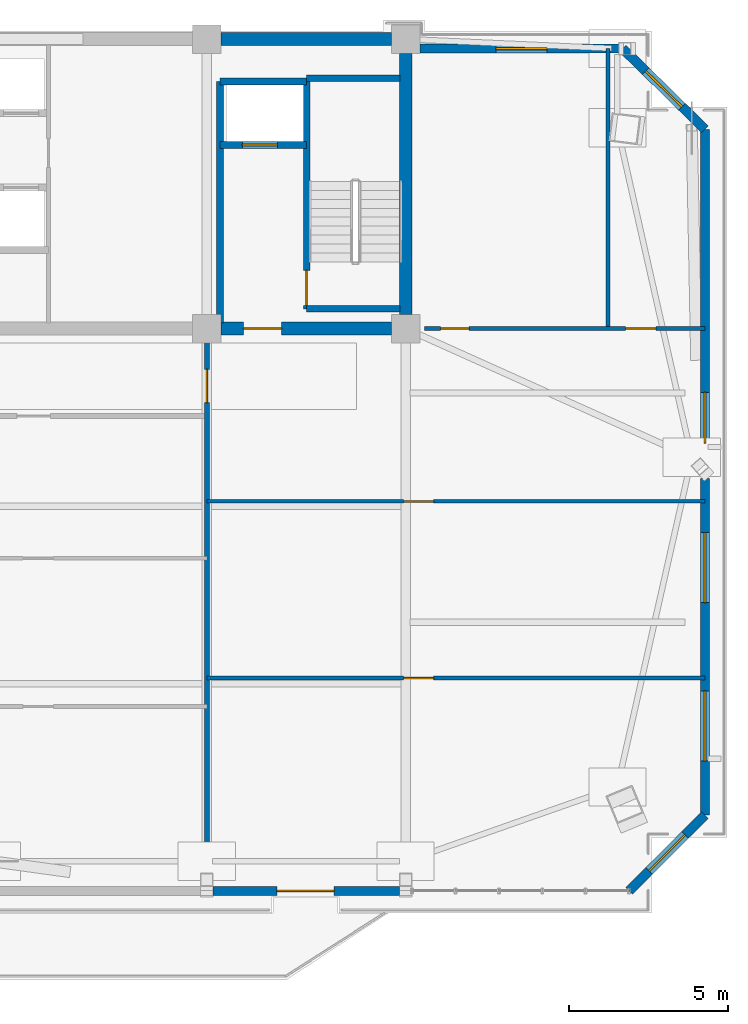
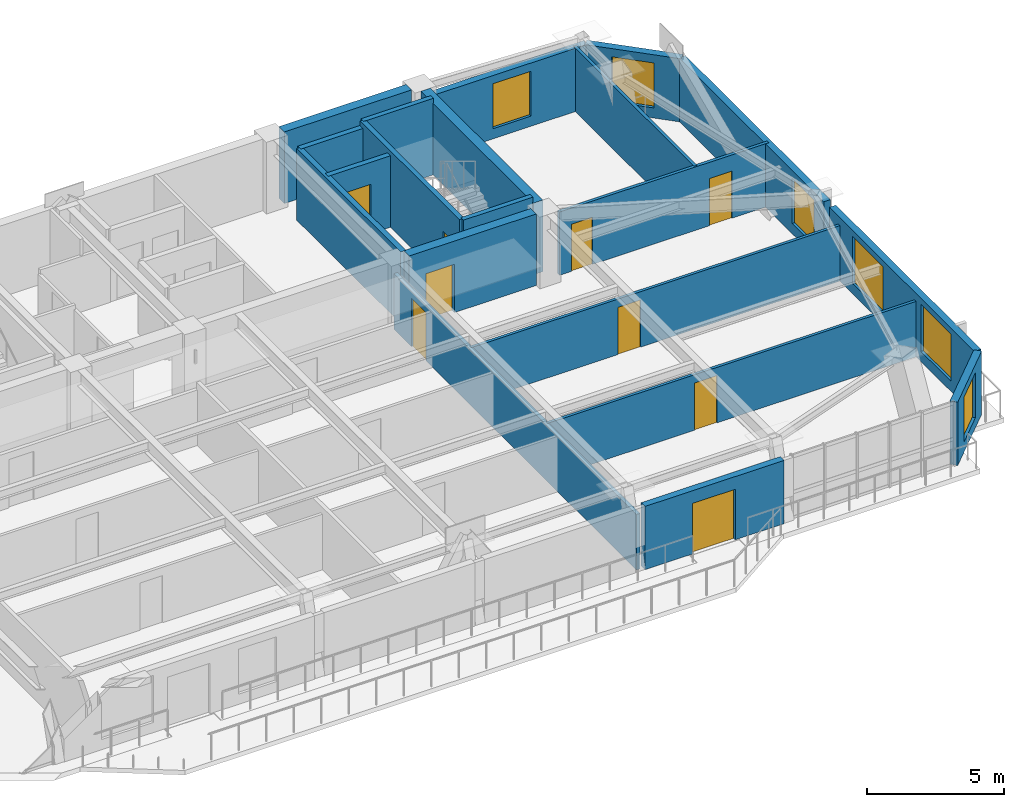
# One storey, part 8 of 14: 20 walls, 9 doors, 6 windows, 15 openings.
"""IFC4 building model written with IfcOpenShell, lengths in metres."""

from ifc_helpers import new_model, si_unit, direction, frame, frame_2d, origin, place, context, subcontext, project, spatial, rectangle, extrude, source, transform, mapped, material, layer, layer_set, type_object, element, fill, save


model = new_model("IFC4")

# Units and contexts
model_context = context("Model", 3, precision=1e-05, world=origin(), true_north=direction((0.0, 1.0)))
body_context = subcontext(model_context, "Body", "Model", "MODEL_VIEW")
ifc_project = project(units=[si_unit("LENGTHUNIT", "METRE"), si_unit("AREAUNIT", "SQUARE_METRE"), si_unit("VOLUMEUNIT", "CUBIC_METRE"), si_unit("PLANEANGLEUNIT", "RADIAN"), si_unit("MASSUNIT", "GRAM", prefix="KILO")], contexts=[model_context])

# Site, building, storey
site_placement = place(None, origin())
site = spatial("IfcSite", under=ifc_project, at=site_placement, CompositionType="ELEMENT")
building_placement = place(site_placement, origin())
building = spatial("IfcBuilding", under=site, at=building_placement, Name="Giltprow Tower", CompositionType="ELEMENT")
storey_placement = place(building_placement, frame((0.0, 0.0, 310.800048828125)))
storey = spatial("IfcBuildingStorey", under=building, at=storey_placement, Name="L80", CompositionType="ELEMENT", Elevation=310.800048828125)

# Wall, opening, window
ifc_material_1 = material(Name="Precast concrete C40", Category="concrete")
ifc_layer_1 = layer(ifc_material_1, 0.300048828125, Name="Precast concrete C40")
ifc_layer_set_1 = layer_set([ifc_layer_1], Name="Precast concrete C40")
wall_type_1 = type_object("IfcWallType", Name="EW-NOTCH-CHAMFER-300", PredefinedType="SOLIDWALL", material=ifc_layer_set_1)
wall_1_placement = place(storey_placement, frame((57.574951171875, 19.77197265625, 0.0), z_axis=(0.0, 0.0, 1.0), x_axis=(0.707106781187, 0.707106781187, 0.0)))
wall_1 = element("IfcWall", 1, at=wall_1_placement, inside=storey, type_object=wall_type_1, Name="L80 Corner Notch Wall SE", PredefinedType="SOLIDWALL", context=body_context, shape_type="SweptSolid", body=[
    extrude(rectangle(XDim=3.372802734375, YDim=0.300048828125, at=frame_2d((1.6865234375, 0.0))), origin(), (0.0, 0.0, 1.0), 2.81494140625),
])
opening_1_placement = place(wall_1_placement, frame((0.885986328125, 0.0, 0.449951171875)))
opening_1 = element("IfcOpeningElement", 2, at=opening_1_placement, cuts=wall_1, Name="Opening WN17", PredefinedType="OPENING", context=body_context, shape_type="SweptSolid", body=[
    extrude(rectangle(XDim=1.60009765625, YDim=2.0, at=frame_2d((0.800048828125, 1.0))), frame((0.0, 0.159912109375, 0.0), z_axis=(0.0, -1.0, 0.0), x_axis=(1.0, 0.0, 0.0)), (0.0, 0.0, 1.0), 0.320068359375),
])
ifc_material_2 = material(Name="Insulated glass", Category="glass")
window_type_1 = type_object("IfcWindowType", Name="WN-COR-1600x2000", PartitioningType="SINGLE_PANEL", PredefinedType="WINDOW", material=ifc_material_2)
shared_shape_1 = source(origin(), body_context, "Body", "SweptSolid", [
    extrude(rectangle(XDim=1.60009765625, YDim=2.0, at=frame_2d((0.800048828125, 1.0))), frame((0.0, 0.030029296875, 0.0), z_axis=(0.0, -1.0, 0.0), x_axis=(1.0, 0.0, 0.0)), (0.0, 0.0, 1.0), 0.06005859375),
])
window_1_placement = place(opening_1_placement, origin())
window_1 = element("IfcWindow", 3, at=window_1_placement, inside=storey, type_object=window_type_1, Name="L80 Corner Notch Window SE", OverallHeight=2.0, OverallWidth=1.60009765625, PartitioningType="SINGLE_PANEL", PredefinedType="WINDOW", context=body_context, shape_type="MappedRepresentation", body=[
    mapped(shared_shape_1, transform((0.0, 0.0, 0.0), x_axis=(1.0, 0.0, 0.0), y_axis=(0.0, 1.0, 0.0), z_axis=(0.0, 0.0, 1.0), scale=1.0)),
])
fill(opening_1, window_1)

wall_2_placement = place(storey_placement, frame((59.9599609375, 43.715087890625, 0.0), z_axis=(0.0, 0.0, 1.0), x_axis=(-0.713984922877, 0.700161074257, 0.0)))
wall_2 = element("IfcWall", 4, at=wall_2_placement, inside=storey, type_object=wall_type_1, Name="L80 Corner Notch Wall NE", PredefinedType="SOLIDWALL", context=body_context, shape_type="SweptSolid", body=[
    extrude(rectangle(XDim=3.620361328125, YDim=0.300048828125, at=frame_2d((1.81005859375, 0.0))), origin(), (0.0, 0.0, 1.0), 2.81494140625),
])
opening_2_placement = place(wall_2_placement, frame((1.010009765625, 0.0, 0.449951171875)))
opening_2 = element("IfcOpeningElement", 5, at=opening_2_placement, cuts=wall_2, Name="Opening WN17", PredefinedType="OPENING", context=body_context, shape_type="SweptSolid", body=[
    extrude(rectangle(XDim=1.60009765625, YDim=2.0, at=frame_2d((0.800048828125, 1.0))), frame((0.0, 0.159912109375, 0.0), z_axis=(0.0, -1.0, 0.0), x_axis=(1.0, 0.0, 0.0)), (0.0, 0.0, 1.0), 0.320068359375),
])
window_2_placement = place(opening_2_placement, origin())
window_2 = element("IfcWindow", 6, at=window_2_placement, inside=storey, type_object=window_type_1, Name="L80 Corner Notch Window NE", OverallHeight=2.0, OverallWidth=1.60009765625, PartitioningType="SINGLE_PANEL", PredefinedType="WINDOW", context=body_context, shape_type="MappedRepresentation", body=[
    mapped(shared_shape_1, transform((0.0, 0.0, 0.0), x_axis=(1.0, 0.0, 0.0), y_axis=(0.0, 1.0, 0.0), z_axis=(0.0, 0.0, 1.0), scale=1.0)),
])
fill(opening_2, window_2)

# Wall, opening, door
ifc_layer_2 = layer(ifc_material_1, 0.280029296875, Name="Precast concrete C40")
ifc_layer_set_2 = layer_set([ifc_layer_2], Name="Precast concrete C40")
wall_type_2 = type_object("IfcWallType", Name="EW-TOW-BRONZE-280", PredefinedType="SOLIDWALL", material=ifc_layer_set_2)
wall_3_placement = place(storey_placement, frame((44.5, 19.77197265625, 0.0), z_axis=(0.0, 0.0, 1.0), x_axis=(1.0, 0.0, 0.0)))
wall_3 = element("IfcWall", 7, at=wall_3_placement, inside=storey, type_object=wall_type_2, Name="L80 South Expressed Frame Wall 5", PredefinedType="SOLIDWALL", context=body_context, shape_type="SweptSolid", body=[
    extrude(rectangle(XDim=5.85009765625, YDim=0.280029296875, at=frame_2d((2.925048828125, 0.0))), origin(), (0.0, 0.0, 1.0), 2.81494140625),
])
opening_3_placement = place(wall_3_placement, frame((2.0, 0.0, 0.0)))
opening_3 = element("IfcOpeningElement", 8, at=opening_3_placement, cuts=wall_3, Name="Opening ED25", PredefinedType="OPENING", context=body_context, shape_type="SweptSolid", body=[
    extrude(rectangle(XDim=1.800048828125, YDim=2.25, at=frame_2d((0.89990234375, 1.125))), frame((0.0, 0.14990234375, 0.0), z_axis=(0.0, -1.0, 0.0), x_axis=(1.0, 0.0, 0.0)), (0.0, 0.0, 1.0), 0.300048828125),
])
ifc_material_3 = material(Name="Anodized bronze and glass", Category="glass")
door_type_1 = type_object("IfcDoorType", Name="DR-BALC-SLIDE-1800", OperationType="SLIDING_TO_LEFT", PredefinedType="DOOR", material=ifc_material_3)
shared_shape_2 = source(origin(), body_context, "Body", "SweptSolid", [
    extrude(rectangle(XDim=1.800048828125, YDim=2.25, at=frame_2d((0.89990234375, 1.125))), frame((0.0, 0.02490234375, 0.0), z_axis=(0.0, -1.0, 0.0), x_axis=(1.0, 0.0, 0.0)), (0.0, 0.0, 1.0), 0.050048828125),
])
door_1_placement = place(opening_3_placement, origin())
door_1 = element("IfcDoor", 9, at=door_1_placement, inside=storey, type_object=door_type_1, Name="L80 Waterfront Balcony Sliding Door 2", OperationType="SLIDING_TO_LEFT", OverallHeight=2.25, OverallWidth=1.800048828125, PredefinedType="DOOR", context=body_context, shape_type="MappedRepresentation", body=[
    mapped(shared_shape_2, transform((0.0, 0.0, 0.0), x_axis=(1.0, 0.0, 0.0), y_axis=(0.0, 1.0, 0.0), z_axis=(0.0, 0.0, 1.0), scale=1.0)),
])
fill(opening_3, door_1)

# Wall, openings, windows
wall_4_placement = place(storey_placement, frame((59.9599609375, 22.156982421875, 0.0), z_axis=(0.0, 0.0, 1.0), x_axis=(0.0, 1.0, 0.0)))
wall_4 = element("IfcWall", 10, at=wall_4_placement, inside=storey, type_object=wall_type_2, Name="L80 E Wing Masonry Wall 1", PredefinedType="SOLIDWALL", context=body_context, shape_type="SweptSolid", body=[
    extrude(rectangle(XDim=10.5791015625, YDim=0.280029296875, at=frame_2d((5.28955078125, 0.0))), origin(), (0.0, 0.0, 1.0), 2.81494140625),
])
opening_4_placement = place(wall_4_placement, frame((1.705078125, 0.0, 0.449951171875)))
opening_4 = element("IfcOpeningElement", 11, at=opening_4_placement, cuts=wall_4, Name="Opening WN27", PredefinedType="OPENING", context=body_context, shape_type="SweptSolid", body=[
    extrude(rectangle(XDim=2.199951171875, YDim=2.10009765625, at=frame_2d((1.10009765625, 1.050048828125))), frame((0.0, 0.14990234375, 0.0), z_axis=(0.0, -1.0, 0.0), x_axis=(1.0, 0.0, 0.0)), (0.0, 0.0, 1.0), 0.300048828125),
])
opening_5_placement = place(wall_4_placement, frame((6.679931640625, 0.0, 0.449951171875)))
opening_5 = element("IfcOpeningElement", 12, at=opening_5_placement, cuts=wall_4, Name="Opening WN27", PredefinedType="OPENING", context=body_context, shape_type="SweptSolid", body=[
    extrude(rectangle(XDim=2.199951171875, YDim=2.10009765625, at=frame_2d((1.10009765625, 1.050048828125))), frame((0.0, 0.14990234375, 0.0), z_axis=(0.0, -1.0, 0.0), x_axis=(1.0, 0.0, 0.0)), (0.0, 0.0, 1.0), 0.300048828125),
])
window_type_2 = type_object("IfcWindowType", Name="WN-RES-2200x2100", PartitioningType="TRIPLE_PANEL_VERTICAL", PredefinedType="WINDOW", material=ifc_material_2)
shared_shape_3 = source(origin(), body_context, "Body", "SweptSolid", [
    extrude(rectangle(XDim=2.199951171875, YDim=2.10009765625, at=frame_2d((1.10009765625, 1.050048828125))), frame((0.0, 0.030029296875, 0.0), z_axis=(0.0, -1.0, 0.0), x_axis=(1.0, 0.0, 0.0)), (0.0, 0.0, 1.0), 0.06005859375),
])
window_3_placement = place(opening_4_placement, origin())
window_3 = element("IfcWindow", 13, at=window_3_placement, inside=storey, type_object=window_type_2, Name="L80 E Wing Window 1-1A", OverallHeight=2.10009765625, OverallWidth=2.199951171875, PartitioningType="SINGLE_PANEL", PredefinedType="WINDOW", context=body_context, shape_type="MappedRepresentation", body=[
    mapped(shared_shape_3, transform((0.0, 0.0, 0.0), x_axis=(1.0, 0.0, 0.0), y_axis=(0.0, 1.0, 0.0), z_axis=(0.0, 0.0, 1.0), scale=1.0)),
])
fill(opening_4, window_3)
window_4_placement = place(opening_5_placement, origin())
window_4 = element("IfcWindow", 14, at=window_4_placement, inside=storey, type_object=window_type_2, Name="L80 E Wing Window 1-1B", OverallHeight=2.10009765625, OverallWidth=2.199951171875, PartitioningType="SINGLE_PANEL", PredefinedType="WINDOW", context=body_context, shape_type="MappedRepresentation", body=[
    mapped(shared_shape_3, transform((0.0, 0.0, 0.0), x_axis=(1.0, 0.0, 0.0), y_axis=(0.0, 1.0, 0.0), z_axis=(0.0, 0.0, 1.0), scale=1.0)),
])
fill(opening_5, window_4)

# Wall, opening, window
wall_5_placement = place(storey_placement, frame((59.9599609375, 33.135986328125, 0.0), z_axis=(0.0, 0.0, 1.0), x_axis=(0.0, 1.0, 0.0)))
wall_5 = element("IfcWall", 15, at=wall_5_placement, inside=storey, type_object=wall_type_2, Name="L80 E Wing Masonry Wall 2", PredefinedType="SOLIDWALL", context=body_context, shape_type="SweptSolid", body=[
    extrude(rectangle(XDim=10.5791015625, YDim=0.280029296875, at=frame_2d((5.28955078125, 0.0))), origin(), (0.0, 0.0, 1.0), 2.81494140625),
])
opening_6_placement = place(wall_5_placement, frame((0.7119140625, 0.0, 0.449951171875)))
opening_6 = element("IfcOpeningElement", 16, at=opening_6_placement, cuts=wall_5, Name="Opening WN17", PredefinedType="OPENING", context=body_context, shape_type="SweptSolid", body=[
    extrude(rectangle(XDim=1.60009765625, YDim=2.0, at=frame_2d((0.800048828125, 1.0))), frame((0.0, 0.14990234375, 0.0), z_axis=(0.0, -1.0, 0.0), x_axis=(1.0, 0.0, 0.0)), (0.0, 0.0, 1.0), 0.300048828125),
])
window_5_placement = place(opening_6_placement, origin())
window_5 = element("IfcWindow", 17, at=window_5_placement, inside=storey, type_object=window_type_1, Name="L80 E Wing Window 2-1", OverallHeight=2.0, OverallWidth=1.60009765625, PartitioningType="SINGLE_PANEL", PredefinedType="WINDOW", context=body_context, shape_type="MappedRepresentation", body=[
    mapped(shared_shape_1, transform((0.0, 0.0, 0.0), x_axis=(1.0, 0.0, 0.0), y_axis=(0.0, 1.0, 0.0), z_axis=(0.0, 0.0, 1.0), scale=1.0)),
])
fill(opening_6, window_5)

wall_6_placement = place(storey_placement, frame((51.0, 46.25, 0.0), z_axis=(0.0, 0.0, 1.0), x_axis=(1.0, 0.0, 0.0)))
wall_6 = element("IfcWall", 18, at=wall_6_placement, inside=storey, type_object=wall_type_2, Name="L80 North-East Wing Wall", PredefinedType="SOLIDWALL", context=body_context, shape_type="SweptSolid", body=[
    extrude(rectangle(XDim=6.375, YDim=0.280029296875, at=frame_2d((3.1875, 0.0))), origin(), (0.0, 0.0, 1.0), 2.81494140625),
])
opening_7_placement = place(wall_6_placement, frame((2.387939453125, 0.0, 0.449951171875)))
opening_7 = element("IfcOpeningElement", 19, at=opening_7_placement, cuts=wall_6, Name="Opening WN17", PredefinedType="OPENING", context=body_context, shape_type="SweptSolid", body=[
    extrude(rectangle(XDim=1.60009765625, YDim=2.0, at=frame_2d((0.800048828125, 1.0))), frame((0.0, 0.14990234375, 0.0), z_axis=(0.0, -1.0, 0.0), x_axis=(1.0, 0.0, 0.0)), (0.0, 0.0, 1.0), 0.300048828125),
])
window_6_placement = place(opening_7_placement, origin())
window_6 = element("IfcWindow", 20, at=window_6_placement, inside=storey, type_object=window_type_1, Name="L80 North-East Window", OverallHeight=2.0, OverallWidth=1.60009765625, PartitioningType="SINGLE_PANEL", PredefinedType="WINDOW", context=body_context, shape_type="MappedRepresentation", body=[
    mapped(shared_shape_1, transform((0.0, 0.0, 0.0), x_axis=(1.0, 0.0, 0.0), y_axis=(0.0, 1.0, 0.0), z_axis=(0.0, 0.0, 1.0), scale=1.0)),
])
fill(opening_7, window_6)

# Wall, opening, door
ifc_material_4 = material(Name="Gypsum stud partition", Category="gypsum")
ifc_layer_3 = layer(ifc_material_4, 0.159912109375, Name="Gypsum stud partition")
ifc_layer_set_3 = layer_set([ifc_layer_3], Name="Gypsum stud partition")
wall_type_3 = type_object("IfcWallType", Name="IW-DEMISE-160", PredefinedType="PARTITIONING", material=ifc_layer_set_3)
wall_7_placement = place(storey_placement, frame((44.300048828125, 19.77197265625, 0.0), z_axis=(0.0, 0.0, 1.0), x_axis=(0.0, 1.0, 0.0)))
wall_7 = element("IfcWall", 21, at=wall_7_placement, inside=storey, type_object=wall_type_3, Name="L80 Apartment Party Wall 3", PredefinedType="PARTITIONING", context=body_context, shape_type="SweptSolid", body=[
    extrude(rectangle(XDim=17.677978515625, YDim=0.159912109375, at=frame_2d((8.8388671875, 0.0))), origin(), (0.0, 0.0, 1.0), 2.469970703125),
])
opening_8_placement = place(wall_7_placement, frame((15.347900390625, 0.0, 0.0)))
opening_8 = element("IfcOpeningElement", 22, at=opening_8_placement, cuts=wall_7, Name="Opening ID31", PredefinedType="OPENING", context=body_context, shape_type="SweptSolid", body=[
    extrude(rectangle(XDim=1.050048828125, YDim=2.14990234375, at=frame_2d((0.52490234375, 1.074951171875))), frame((0.0, 0.08984375, 0.0), z_axis=(0.0, -1.0, 0.0), x_axis=(1.0, 0.0, 0.0)), (0.0, 0.0, 1.0), 0.179931640625),
])
ifc_material_5 = material(Name="Engineered timber", Category="wood")
door_type_2 = type_object("IfcDoorType", Name="DR-SUITE-1050", OperationType="SINGLE_SWING_LEFT", PredefinedType="DOOR", material=ifc_material_5)
shared_shape_4 = source(origin(), body_context, "Body", "SweptSolid", [
    extrude(rectangle(XDim=1.050048828125, YDim=2.14990234375, at=frame_2d((0.52490234375, 1.074951171875))), frame((0.0, 0.02490234375, 0.0), z_axis=(0.0, -1.0, 0.0), x_axis=(1.0, 0.0, 0.0)), (0.0, 0.0, 1.0), 0.050048828125),
])
door_2_placement = place(opening_8_placement, origin())
door_2 = element("IfcDoor", 23, at=door_2_placement, inside=storey, type_object=door_type_2, Name="L80 Boutique Florist Shop Corridor End Door", OperationType="SINGLE_SWING_LEFT", OverallHeight=2.14990234375, OverallWidth=1.050048828125, PredefinedType="DOOR", context=body_context, shape_type="MappedRepresentation", body=[
    mapped(shared_shape_4, transform((0.0, 0.0, 0.0), x_axis=(1.0, 0.0, 0.0), y_axis=(0.0, 1.0, 0.0), z_axis=(0.0, 0.0, 1.0), scale=1.0)),
])
fill(opening_8, door_2)

ifc_layer_4 = layer(ifc_material_4, 0.1201171875, Name="Gypsum stud partition")
ifc_layer_set_4 = layer_set([ifc_layer_4], Name="Gypsum stud partition")
wall_type_4 = type_object("IfcWallType", Name="IW-ROOM-120", PredefinedType="PARTITIONING", material=ifc_layer_set_4)
wall_8_placement = place(storey_placement, frame((44.300048828125, 26.4619140625, 0.0), z_axis=(0.0, 0.0, 1.0), x_axis=(1.0, 0.0, 0.0)))
wall_8 = element("IfcWall", 24, at=wall_8_placement, inside=storey, type_object=wall_type_4, Name="L80 Special Split 1", PredefinedType="PARTITIONING", context=body_context, shape_type="SweptSolid", body=[
    extrude(rectangle(XDim=15.659912109375, YDim=0.1201171875, at=frame_2d((7.830078125, 0.0))), origin(), (0.0, 0.0, 1.0), 2.469970703125),
])
opening_9_placement = place(wall_8_placement, frame((6.18408203125, 0.0, 0.0)))
opening_9 = element("IfcOpeningElement", 25, at=opening_9_placement, cuts=wall_8, Name="Opening ID11", PredefinedType="OPENING", context=body_context, shape_type="SweptSolid", body=[
    extrude(rectangle(XDim=0.949951171875, YDim=2.10009765625, at=frame_2d((0.47509765625, 1.050048828125))), frame((0.0, 0.070068359375, 0.0), z_axis=(0.0, -1.0, 0.0), x_axis=(1.0, 0.0, 0.0)), (0.0, 0.0, 1.0), 0.14013671875),
])
door_type_3 = type_object("IfcDoorType", Name="DR-ROOM-950", OperationType="SINGLE_SWING_RIGHT", PredefinedType="DOOR", material=ifc_material_5)
shared_shape_5 = source(origin(), body_context, "Body", "SweptSolid", [
    extrude(rectangle(XDim=0.949951171875, YDim=2.10009765625, at=frame_2d((0.47509765625, 1.050048828125))), frame((0.0, 0.02490234375, 0.0), z_axis=(0.0, -1.0, 0.0), x_axis=(1.0, 0.0, 0.0)), (0.0, 0.0, 1.0), 0.050048828125),
])
door_3_placement = place(opening_9_placement, origin())
door_3 = element("IfcDoor", 26, at=door_3_placement, inside=storey, type_object=door_type_3, Name="L80 Boutique Florist Shop South Door", OperationType="SINGLE_SWING_LEFT", OverallHeight=2.10009765625, OverallWidth=0.949951171875, PredefinedType="DOOR", context=body_context, shape_type="MappedRepresentation", body=[
    mapped(shared_shape_5, transform((0.0, 0.0, 0.0), x_axis=(1.0, 0.0, 0.0), y_axis=(0.0, 1.0, 0.0), z_axis=(0.0, 0.0, 1.0), scale=1.0)),
])
fill(opening_9, door_3)

wall_9_placement = place(storey_placement, frame((44.300048828125, 32.01904296875, 0.0), z_axis=(0.0, 0.0, 1.0), x_axis=(1.0, 0.0, 0.0)))
wall_9 = element("IfcWall", 27, at=wall_9_placement, inside=storey, type_object=wall_type_4, Name="L80 Special Split 2", PredefinedType="PARTITIONING", context=body_context, shape_type="SweptSolid", body=[
    extrude(rectangle(XDim=15.659912109375, YDim=0.1201171875, at=frame_2d((7.830078125, 0.0))), origin(), (0.0, 0.0, 1.0), 2.469970703125),
])
opening_10_placement = place(wall_9_placement, frame((6.18408203125, 0.0, 0.0)))
opening_10 = element("IfcOpeningElement", 28, at=opening_10_placement, cuts=wall_9, Name="Opening ID11", PredefinedType="OPENING", context=body_context, shape_type="SweptSolid", body=[
    extrude(rectangle(XDim=0.949951171875, YDim=2.10009765625, at=frame_2d((0.47509765625, 1.050048828125))), frame((0.0, 0.070068359375, 0.0), z_axis=(0.0, -1.0, 0.0), x_axis=(1.0, 0.0, 0.0)), (0.0, 0.0, 1.0), 0.14013671875),
])
door_4_placement = place(opening_10_placement, origin())
door_4 = element("IfcDoor", 29, at=door_4_placement, inside=storey, type_object=door_type_3, Name="L80 Boutique Florist Shop Mid Door", OperationType="SINGLE_SWING_RIGHT", OverallHeight=2.10009765625, OverallWidth=0.949951171875, PredefinedType="DOOR", context=body_context, shape_type="MappedRepresentation", body=[
    mapped(shared_shape_5, transform((0.0, 0.0, 0.0), x_axis=(1.0, 0.0, 0.0), y_axis=(0.0, 1.0, 0.0), z_axis=(0.0, 0.0, 1.0), scale=1.0)),
])
fill(opening_10, door_4)

ifc_material_6 = material(Name="Concrete C40", Category="concrete")
ifc_layer_5 = layer(ifc_material_6, 0.219970703125, Name="Concrete C40")
ifc_layer_set_5 = layer_set([ifc_layer_5], Name="Concrete C40")
wall_type_5 = type_object("IfcWallType", Name="IW-SHAFT-220", PredefinedType="SOLIDWALL", material=ifc_layer_set_5)
wall_10_placement = place(storey_placement, frame((44.719970703125, 43.219970703125, 0.0), z_axis=(0.0, 0.0, 1.0), x_axis=(1.0, 0.0, 0.0)))
wall_10 = element("IfcWall", 30, at=wall_10_placement, inside=storey, type_object=wall_type_5, Name="L80 FFL2 Front Shaft Wall", PredefinedType="SOLIDWALL", context=body_context, shape_type="SweptSolid", body=[
    extrude(rectangle(XDim=2.719970703125, YDim=0.219970703125, at=frame_2d((1.35986328125, 0.0))), origin(), (0.0, 0.0, 1.0), 3.18505859375),
])
opening_11_placement = place(wall_10_placement, frame((0.699951171875, 0.0, 0.0)))
opening_11 = element("IfcOpeningElement", 31, at=opening_11_placement, cuts=wall_10, Name="Opening LD-11", PredefinedType="OPENING", context=body_context, shape_type="SweptSolid", body=[
    extrude(rectangle(XDim=1.10009765625, YDim=2.199951171875, at=frame_2d((0.550048828125, 1.10009765625))), frame((0.0, 0.119873046875, 0.0), z_axis=(0.0, -1.0, 0.0), x_axis=(1.0, 0.0, 0.0)), (0.0, 0.0, 1.0), 0.239990234375),
])
ifc_material_7 = material(Name="Stainless steel", Category="steel")
door_type_4 = type_object("IfcDoorType", Name="DR-LIFT-LD1100", OperationType="SLIDING_TO_LEFT", PredefinedType="DOOR", material=ifc_material_7)
shared_shape_6 = source(origin(), body_context, "Body", "SweptSolid", [
    extrude(rectangle(XDim=1.10009765625, YDim=2.199951171875, at=frame_2d((0.550048828125, 1.10009765625))), frame((0.0, 0.02490234375, 0.0), z_axis=(0.0, -1.0, 0.0), x_axis=(1.0, 0.0, 0.0)), (0.0, 0.0, 1.0), 0.050048828125),
])
door_5_placement = place(opening_11_placement, origin())
door_5 = element("IfcDoor", 32, at=door_5_placement, inside=storey, type_object=door_type_4, Name="L80 FFL2 Landing Door", OperationType="SLIDING_TO_LEFT", OverallHeight=2.199951171875, OverallWidth=1.10009765625, PredefinedType="DOOR", context=body_context, shape_type="MappedRepresentation", body=[
    mapped(shared_shape_6, transform((0.0, 0.0, 0.0), x_axis=(1.0, 0.0, 0.0), y_axis=(0.0, 1.0, 0.0), z_axis=(0.0, 0.0, 1.0), scale=1.0)),
])
fill(opening_11, door_5)

# Walls
wall_11_placement = place(storey_placement, frame((44.719970703125, 45.219970703125, 0.0), z_axis=(0.0, 0.0, 1.0), x_axis=(1.0, 0.0, 0.0)))
element("IfcWall", 33, at=wall_11_placement, inside=storey, type_object=wall_type_5, Name="L80 FFL2 Back Shaft Wall", PredefinedType="SOLIDWALL", context=body_context, shape_type="SweptSolid", body=[
    extrude(rectangle(XDim=2.719970703125, YDim=0.219970703125, at=frame_2d((1.35986328125, 0.0))), origin(), (0.0, 0.0, 1.0), 3.18505859375),
])
wall_12_placement = place(storey_placement, frame((44.719970703125, 37.6298828125, 0.0), z_axis=(0.0, 0.0, 1.0), x_axis=(0.0, 1.0, 0.0)))
element("IfcWall", 34, at=wall_12_placement, inside=storey, type_object=wall_type_5, Name="L80 East Firefighting Lobby West Wall", PredefinedType="SOLIDWALL", context=body_context, shape_type="SweptSolid", body=[
    extrude(rectangle(XDim=7.590087890625, YDim=0.219970703125, at=frame_2d((3.794921875, 0.0))), origin(), (0.0, 0.0, 1.0), 3.18505859375),
])

# Wall, opening, door
ifc_layer_6 = layer(ifc_material_6, 0.199951171875, Name="Concrete C40")
ifc_layer_set_6 = layer_set([ifc_layer_6], Name="Concrete C40")
wall_type_6 = type_object("IfcWallType", Name="IW-STAIR-200", PredefinedType="SOLIDWALL", material=ifc_layer_set_6)
wall_13_placement = place(storey_placement, frame((47.43994140625, 38.070068359375, 0.0), z_axis=(0.0, 0.0, 1.0), x_axis=(0.0, 1.0, 0.0)))
wall_13 = element("IfcWall", 35, at=wall_13_placement, inside=storey, type_object=wall_type_6, Name="L80 Stair ST-3 West Bearing Wall", PredefinedType="SOLIDWALL", context=body_context, shape_type="SweptSolid", body=[
    extrude(rectangle(XDim=7.25, YDim=0.199951171875, at=frame_2d((3.625, 0.0))), origin(), (0.0, 0.0, 1.0), 3.39990234375),
])
opening_12_placement = place(wall_13_placement, frame((0.110107421875, 0.0, 0.0)))
opening_12 = element("IfcOpeningElement", 36, at=opening_12_placement, cuts=wall_13, Name="Opening ID33", PredefinedType="OPENING", context=body_context, shape_type="SweptSolid", body=[
    extrude(rectangle(XDim=1.10009765625, YDim=2.14990234375, at=frame_2d((0.550048828125, 1.074951171875))), frame((0.0, 0.10986328125, 0.0), z_axis=(0.0, -1.0, 0.0), x_axis=(1.0, 0.0, 0.0)), (0.0, 0.0, 1.0), 0.219970703125),
])
ifc_material_8 = material(Name="Steel fire leaf", Category="steel")
door_type_5 = type_object("IfcDoorType", Name="DR-STAIR-1100", OperationType="SINGLE_SWING_LEFT", PredefinedType="DOOR", material=ifc_material_8)
shared_shape_7 = source(origin(), body_context, "Body", "SweptSolid", [
    extrude(rectangle(XDim=1.10009765625, YDim=2.14990234375, at=frame_2d((0.550048828125, 1.074951171875))), frame((0.0, 0.02490234375, 0.0), z_axis=(0.0, -1.0, 0.0), x_axis=(1.0, 0.0, 0.0)), (0.0, 0.0, 1.0), 0.050048828125),
])
door_6_placement = place(opening_12_placement, origin())
door_6 = element("IfcDoor", 37, at=door_6_placement, inside=storey, type_object=door_type_5, Name="L80 Stair ST-3 Fire Door", OperationType="SINGLE_SWING_RIGHT", OverallHeight=2.14990234375, OverallWidth=1.10009765625, PredefinedType="DOOR", context=body_context, shape_type="MappedRepresentation", body=[
    mapped(shared_shape_7, transform((0.0, 0.0, 0.0), x_axis=(1.0, 0.0, 0.0), y_axis=(0.0, 1.0, 0.0), z_axis=(0.0, 0.0, 1.0), scale=1.0)),
])
fill(opening_12, door_6)

# Walls
for number, where, z_axis, x_axis, name in (
    (38, (47.43994140625, 45.320068359375, 0.0), (0.0, 0.0, 1.0), (1.0, 0.0, 0.0), "L80 Stair ST-3 North Bearing Wall"),
    (39, (47.43994140625, 38.070068359375, 0.0), (0.0, 0.0, 1.0), (1.0, 0.0, 0.0), "L80 Stair ST-3 South Bearing Wall"),
):
    element("IfcWall", number, at=place(storey_placement, frame(where, z_axis=z_axis, x_axis=x_axis)), inside=storey, type_object=wall_type_6, Name=name, PredefinedType="SOLIDWALL", context=body_context, shape_type="SweptSolid", body=[
        extrude(rectangle(XDim=2.93017578125, YDim=0.199951171875, at=frame_2d((1.465087890625, 0.0))), origin(), (0.0, 0.0, 1.0), 3.39990234375),
    ])

# Wall, openings, doors
ifc_material_9 = material(Name="Concrete C30", Category="concrete")
ifc_layer_7 = layer(ifc_material_9, 0.1298828125, Name="Concrete C30")
ifc_layer_set_7 = layer_set([ifc_layer_7], Name="Concrete C30")
wall_type_7 = type_object("IfcWallType", Name="IW-WET-130", PredefinedType="PARTITIONING", material=ifc_layer_set_7)
wall_14_placement = place(storey_placement, frame((51.14990234375, 37.449951171875, 0.0), z_axis=(0.0, 0.0, 1.0), x_axis=(1.0, 0.0, 0.0)))
wall_14 = element("IfcWall", 40, at=wall_14_placement, inside=storey, type_object=wall_type_7, Name="L80 NE Wing South Wall", PredefinedType="PARTITIONING", context=body_context, shape_type="SweptSolid", body=[
    extrude(rectangle(XDim=8.81005859375, YDim=0.1298828125, at=frame_2d((4.405029296875, 0.0))), origin(), (0.0, 0.0, 1.0), 2.820068359375),
])
opening_13_placement = place(wall_14_placement, frame((0.5, 0.0, 0.0)))
opening_13 = element("IfcOpeningElement", 41, at=opening_13_placement, cuts=wall_14, Name="Opening ID15", PredefinedType="OPENING", context=body_context, shape_type="SweptSolid", body=[
    extrude(rectangle(XDim=0.89990234375, YDim=2.10009765625, at=frame_2d((0.449951171875, 1.050048828125))), frame((0.0, 0.074951171875, 0.0), z_axis=(0.0, -1.0, 0.0), x_axis=(1.0, 0.0, 0.0)), (0.0, 0.0, 1.0), 0.14990234375),
])
opening_14_placement = place(wall_14_placement, frame((6.31689453125, 0.0, 0.0)))
opening_14 = element("IfcOpeningElement", 42, at=opening_14_placement, cuts=wall_14, Name="Opening ID11", PredefinedType="OPENING", context=body_context, shape_type="SweptSolid", body=[
    extrude(rectangle(XDim=0.949951171875, YDim=2.10009765625, at=frame_2d((0.47509765625, 1.050048828125))), frame((0.0, 0.074951171875, 0.0), z_axis=(0.0, -1.0, 0.0), x_axis=(1.0, 0.0, 0.0)), (0.0, 0.0, 1.0), 0.14990234375),
])
door_type_6 = type_object("IfcDoorType", Name="DR-WC-900", OperationType="SINGLE_SWING_LEFT", PredefinedType="DOOR", material=ifc_material_5)
shared_shape_8 = source(origin(), body_context, "Body", "SweptSolid", [
    extrude(rectangle(XDim=0.89990234375, YDim=2.10009765625, at=frame_2d((0.449951171875, 1.050048828125))), frame((0.0, 0.02490234375, 0.0), z_axis=(0.0, -1.0, 0.0), x_axis=(1.0, 0.0, 0.0)), (0.0, 0.0, 1.0), 0.050048828125),
])
door_7_placement = place(opening_13_placement, origin())
door_7 = element("IfcDoor", 43, at=door_7_placement, inside=storey, type_object=door_type_6, Name="L80 East Wing Washroom Door", OperationType="SINGLE_SWING_RIGHT", OverallHeight=2.10009765625, OverallWidth=0.89990234375, PredefinedType="DOOR", context=body_context, shape_type="MappedRepresentation", body=[
    mapped(shared_shape_8, transform((0.0, 0.0, 0.0), x_axis=(1.0, 0.0, 0.0), y_axis=(0.0, 1.0, 0.0), z_axis=(0.0, 0.0, 1.0), scale=1.0)),
])
fill(opening_13, door_7)
door_8_placement = place(opening_14_placement, origin())
door_8 = element("IfcDoor", 44, at=door_8_placement, inside=storey, type_object=door_type_3, Name="L80 Residents Reading Lounge Door", OperationType="SINGLE_SWING_LEFT", OverallHeight=2.10009765625, OverallWidth=0.949951171875, PredefinedType="DOOR", context=body_context, shape_type="MappedRepresentation", body=[
    mapped(shared_shape_5, transform((0.0, 0.0, 0.0), x_axis=(1.0, 0.0, 0.0), y_axis=(0.0, 1.0, 0.0), z_axis=(0.0, 0.0, 1.0), scale=1.0)),
])
fill(opening_14, door_8)

# Walls
wall_15_placement = place(storey_placement, frame((56.9169921875, 37.449951171875, 0.0), z_axis=(0.0, 0.0, 1.0), x_axis=(0.0, 1.0, 0.0)))
element("IfcWall", 45, at=wall_15_placement, inside=storey, type_object=wall_type_7, Name="L80 NE Wing Divider", PredefinedType="PARTITIONING", context=body_context, shape_type="SweptSolid", body=[
    extrude(rectangle(XDim=8.800048828125, YDim=0.1298828125, at=frame_2d((4.39990234375, 0.0))), origin(), (0.0, 0.0, 1.0), 2.820068359375),
])
ifc_material_10 = material(Name="Concrete C45", Category="concrete")
ifc_layer_8 = layer(ifc_material_10, 0.39990234375, Name="Concrete C45")
ifc_layer_set_8 = layer_set([ifc_layer_8], Name="Concrete C45")
wall_type_8 = type_object("IfcWallType", Name="SW-EXT-400-C45", PredefinedType="SHEAR", material=ifc_layer_set_8)
wall_16_placement = place(storey_placement, frame((44.75, 46.550048828125, 0.0), z_axis=(0.0, 0.0, 1.0), x_axis=(1.0, 0.0, 0.0)))
element("IfcWall", 46, at=wall_16_placement, inside=storey, type_object=wall_type_8, Name="L80 North Rear Core Shear Wall 4", PredefinedType="SHEAR", context=body_context, shape_type="SweptSolid", body=[
    extrude(rectangle(XDim=5.35009765625, YDim=0.39990234375, at=frame_2d((2.675048828125, 0.0))), origin(), (0.0, 0.0, 1.0), 3.18505859375),
])

# Wall, opening, door
ifc_layer_9 = layer(ifc_material_10, 0.39990234375, Name="Concrete C45")
ifc_layer_set_9 = layer_set([ifc_layer_9], Name="Concrete C45")
wall_type_9 = type_object("IfcWallType", Name="SW-INT-400-C45", PredefinedType="SHEAR", material=ifc_layer_set_9)
wall_17_placement = place(storey_placement, frame((44.75, 37.449951171875, 0.0), z_axis=(0.0, 0.0, 1.0), x_axis=(1.0, 0.0, 0.0)))
wall_17 = element("IfcWall", 47, at=wall_17_placement, inside=storey, type_object=wall_type_9, Name="L80 South Rear Core Shear Wall East", PredefinedType="SHEAR", context=body_context, shape_type="SweptSolid", body=[
    extrude(rectangle(XDim=5.35009765625, YDim=0.39990234375, at=frame_2d((2.675048828125, 0.0))), origin(), (0.0, 0.0, 1.0), 3.18505859375),
])
opening_15_placement = place(wall_17_placement, frame((0.699951171875, 0.0, 0.0)))
opening_15 = element("IfcOpeningElement", 48, at=opening_15_placement, cuts=wall_17, Name="Opening ID19", PredefinedType="OPENING", context=body_context, shape_type="SweptSolid", body=[
    extrude(rectangle(XDim=1.199951171875, YDim=2.14990234375, at=frame_2d((0.60009765625, 1.074951171875))), frame((0.0, 0.2099609375, 0.0), z_axis=(0.0, -1.0, 0.0), x_axis=(1.0, 0.0, 0.0)), (0.0, 0.0, 1.0), 0.419921875),
])
door_type_7 = type_object("IfcDoorType", Name="DR-FFLOBBY-1200", OperationType="SINGLE_SWING_RIGHT", PredefinedType="DOOR", material=ifc_material_8)
shared_shape_9 = source(origin(), body_context, "Body", "SweptSolid", [
    extrude(rectangle(XDim=1.199951171875, YDim=2.14990234375, at=frame_2d((0.60009765625, 1.074951171875))), frame((0.0, 0.02490234375, 0.0), z_axis=(0.0, -1.0, 0.0), x_axis=(1.0, 0.0, 0.0)), (0.0, 0.0, 1.0), 0.050048828125),
])
door_9_placement = place(opening_15_placement, origin())
door_9 = element("IfcDoor", 49, at=door_9_placement, inside=storey, type_object=door_type_7, Name="L80 East Firefighting Lobby Entry Door", OperationType="SINGLE_SWING_RIGHT", OverallHeight=2.14990234375, OverallWidth=1.199951171875, PredefinedType="DOOR", context=body_context, shape_type="MappedRepresentation", body=[
    mapped(shared_shape_9, transform((0.0, 0.0, 0.0), x_axis=(1.0, 0.0, 0.0), y_axis=(0.0, 1.0, 0.0), z_axis=(0.0, 0.0, 1.0), scale=1.0)),
])
fill(opening_15, door_9)

# Wall
wall_18_placement = place(storey_placement, frame((50.550048828125, 37.89990234375, 0.0), z_axis=(0.0, 0.0, 1.0), x_axis=(0.0, 1.0, 0.0)))
element("IfcWall", 50, at=wall_18_placement, inside=storey, type_object=wall_type_9, Name="L80 E Rear Core Shear Wall", PredefinedType="SHEAR", context=body_context, shape_type="SweptSolid", body=[
    extrude(rectangle(XDim=8.2001953125, YDim=0.39990234375, at=frame_2d((4.10009765625, 0.0))), origin(), (0.0, 0.0, 1.0), 3.18505859375),
])

save(model, "model.ifc")
